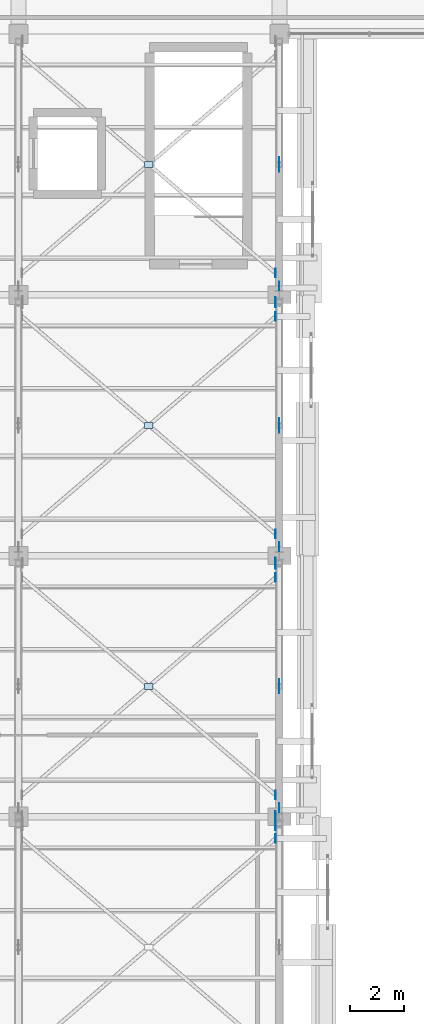
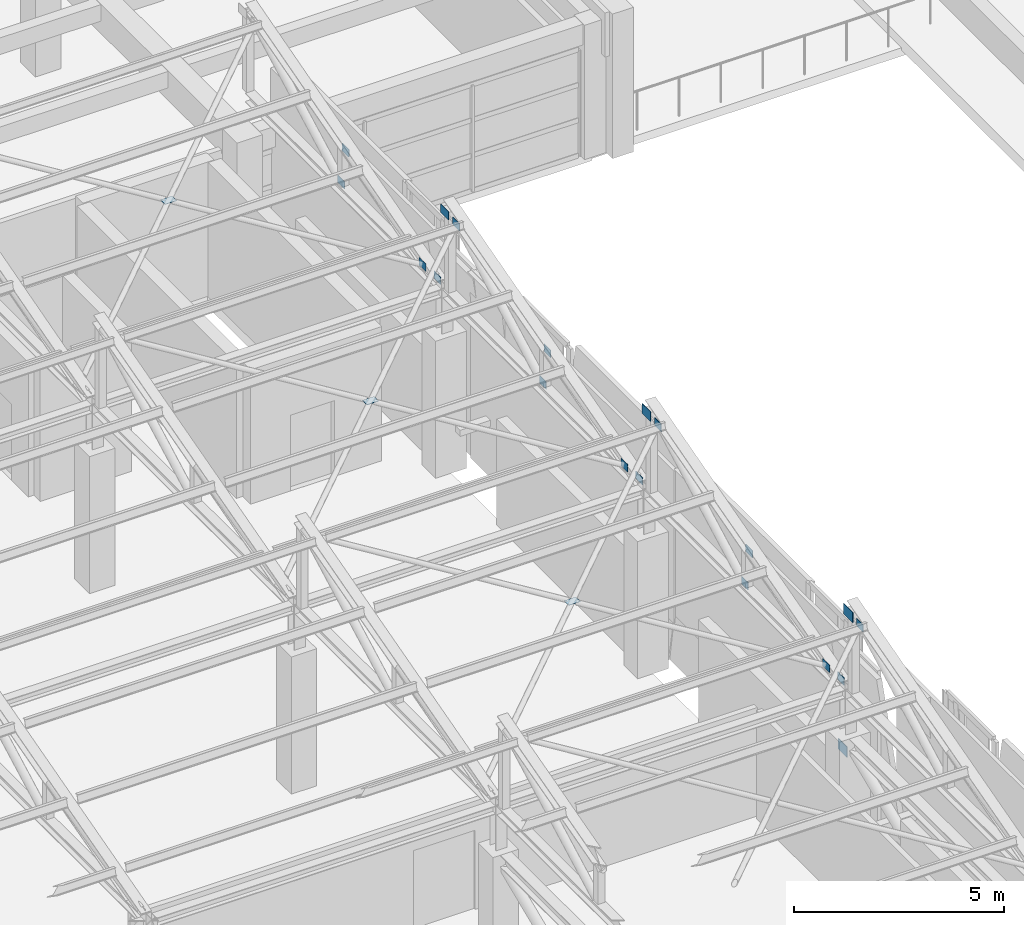
# One storey, part 53 of 71: 22 plates.
"""IFC4 building model written with IfcOpenShell, lengths in metres."""

from ifc_helpers import new_model, si_unit, direction, frame, origin, origin_2d, place, context, subcontext, project, spatial, rectangle, extrude, material, layer, layer_set, type_object, element, save


model = new_model("IFC4")

# Units and contexts
model_context = context("Model", 3, precision=1e-05, world=origin(), true_north=direction((0.0, 1.0)))
body_context = subcontext(model_context, "Body", "Model", "MODEL_VIEW")
ifc_project = project(units=[si_unit("LENGTHUNIT", "METRE"), si_unit("AREAUNIT", "SQUARE_METRE"), si_unit("VOLUMEUNIT", "CUBIC_METRE"), si_unit("PLANEANGLEUNIT", "RADIAN"), si_unit("MASSUNIT", "GRAM", prefix="KILO")], contexts=[model_context])

# Site, building, storey
site_placement = place(None, origin())
site = spatial("IfcSite", under=ifc_project, at=site_placement, CompositionType="ELEMENT")
building_placement = place(site_placement, origin())
building = spatial("IfcBuilding", under=site, at=building_placement, Name="Bempovik Park Faculty of Sciences", CompositionType="ELEMENT")
storey_placement = place(building_placement, frame((0.0, 0.0, 14.10009765625)))
storey = spatial("IfcBuildingStorey", under=building, at=storey_placement, Name="L03", CompositionType="ELEMENT", Elevation=14.10009765625)

# Plates
ifc_material = material(Name="Steel S355", Category="steel")
ifc_layer_1 = layer(ifc_material, 0.01611328125)
ifc_layer_set_1 = layer_set([ifc_layer_1], Name="Steel S355")
plate_type_1 = type_object("IfcPlateType", Name="PL-18 Steel Plate 400x280x16", PredefinedType="SHEET", material=ifc_layer_set_1)
plate_1_placement = place(storey_placement, frame((117.4541015625, 48.330078125, 7.46435546875), z_axis=(0.0, 0.0, 1.0), x_axis=(1.0, 0.0, 0.0)))
element("IfcPlate", 1, at=plate_1_placement, inside=storey, type_object=plate_type_1, Name="Sawtooth Ridge Gusset Plate V1-B3-117.6", PredefinedType="SHEET", context=body_context, shape_type="SweptSolid", body=[
    extrude(rectangle(XDim=0.01611328125, YDim=0.39990234375, at=origin_2d()), origin(), (0.0, 0.0, 1.0), 0.280029296875),
])
ifc_layer_2 = layer(ifc_material, 0.01806640625)
ifc_layer_set_2 = layer_set([ifc_layer_2], Name="Steel S355")
plate_type_2 = type_object("IfcPlateType", Name="PL-22 Steel Plate 420x300x18", PredefinedType="SHEET", material=ifc_layer_set_2)
plate_2_placement = place(storey_placement, frame((117.4599609375, 39.0, 3.3701171875), z_axis=(0.0, 0.0, 1.0), x_axis=(1.0, 0.0, 0.0)))
element("IfcPlate", 2, at=plate_2_placement, inside=storey, type_object=plate_type_2, Name="Cantilever Gusset Plate CT7-5-T", PredefinedType="SHEET", context=body_context, shape_type="SweptSolid", body=[
    extrude(rectangle(XDim=0.01806640625, YDim=0.419921875, at=origin_2d()), origin(), (0.0, 0.0, 1.0), 0.300048828125),
])
ifc_layer_3 = layer(ifc_material, 0.011962890625)
ifc_layer_set_3 = layer_set([ifc_layer_3], Name="Steel S355")
plate_type_3 = type_object("IfcPlateType", Name="PL-26 Steel Plate 320x220x12", PredefinedType="SHEET", material=ifc_layer_set_3)
plate_3_placement = place(storey_placement, frame((117.464111328125, 38.199951171875, 7.46044921875), z_axis=(0.0, 0.0, 1.0), x_axis=(1.0, 0.0, 0.0)))
element("IfcPlate", 3, at=plate_3_placement, inside=storey, type_object=plate_type_3, Name="Sawtooth X-Brace End Gusset V1-B2-108.0-2", PredefinedType="SHEET", context=body_context, shape_type="SweptSolid", body=[
    extrude(rectangle(XDim=0.011962890625, YDim=0.320068359375, at=origin_2d()), origin(), (0.0, 0.0, 1.0), 0.219970703125),
])
plate_4_placement = place(storey_placement, frame((112.800048828125, 43.800048828125, 6.4921875), z_axis=(0.0, 0.0, 1.0), x_axis=(1.0, 0.0, 0.0)))
element("IfcPlate", 4, at=plate_4_placement, inside=storey, type_object=plate_type_3, Name="Sawtooth X-Brace Crossing Node Gusset V1-B3-108.0", PredefinedType="SHEET", context=body_context, shape_type="SweptSolid", body=[
    extrude(rectangle(XDim=0.320068359375, YDim=0.219970703125, at=origin_2d()), origin(), (0.0, 0.0, 1.0), 0.011962890625),
])
for number, where, z_axis, x_axis, name in (
    (5, (117.464111328125, 47.800048828125, 7.46044921875), (0.0, 0.0, 1.0), (1.0, 0.0, 0.0), "Sawtooth X-Brace End Gusset V1-B3-108.0-2"),
    (6, (117.464111328125, 39.800048828125, 5.31640625), (0.0, 0.0, 1.0), (1.0, 0.0, 0.0), "Sawtooth X-Brace End Gusset V1-B3-108.0-4"),
):
    element("IfcPlate", number, at=place(storey_placement, frame(where, z_axis=z_axis, x_axis=x_axis)), inside=storey, type_object=plate_type_3, Name=name, PredefinedType="SHEET", context=body_context, shape_type="SweptSolid", body=[
        extrude(rectangle(XDim=0.011962890625, YDim=0.320068359375, at=origin_2d()), origin(), (0.0, 0.0, 1.0), 0.219970703125),
    ])
plate_5_placement = place(storey_placement, frame((112.800048828125, 53.39990234375, 6.4921875), z_axis=(0.0, 0.0, 1.0), x_axis=(1.0, 0.0, 0.0)))
element("IfcPlate", 7, at=plate_5_placement, inside=storey, type_object=plate_type_3, Name="Sawtooth X-Brace Crossing Node Gusset V1-B4-108.0", PredefinedType="SHEET", context=body_context, shape_type="SweptSolid", body=[
    extrude(rectangle(XDim=0.320068359375, YDim=0.219970703125, at=origin_2d()), origin(), (0.0, 0.0, 1.0), 0.011962890625),
])
for number, where, z_axis, x_axis, name in (
    (8, (117.464111328125, 57.39990234375, 7.46044921875), (0.0, 0.0, 1.0), (1.0, 0.0, 0.0), "Sawtooth X-Brace End Gusset V1-B4-108.0-2"),
    (9, (117.464111328125, 49.39990234375, 5.31640625), (0.0, 0.0, 1.0), (1.0, 0.0, 0.0), "Sawtooth X-Brace End Gusset V1-B4-108.0-4"),
):
    element("IfcPlate", number, at=place(storey_placement, frame(where, z_axis=z_axis, x_axis=x_axis)), inside=storey, type_object=plate_type_3, Name=name, PredefinedType="SHEET", context=body_context, shape_type="SweptSolid", body=[
        extrude(rectangle(XDim=0.011962890625, YDim=0.320068359375, at=origin_2d()), origin(), (0.0, 0.0, 1.0), 0.219970703125),
    ])
plate_6_placement = place(storey_placement, frame((112.800048828125, 63.0, 6.4921875), z_axis=(0.0, 0.0, 1.0), x_axis=(1.0, 0.0, 0.0)))
element("IfcPlate", 10, at=plate_6_placement, inside=storey, type_object=plate_type_3, Name="Sawtooth X-Brace Crossing Node Gusset V1-B5-108.0", PredefinedType="SHEET", context=body_context, shape_type="SweptSolid", body=[
    extrude(rectangle(XDim=0.320068359375, YDim=0.219970703125, at=origin_2d()), origin(), (0.0, 0.0, 1.0), 0.011962890625),
])
for number, where, z_axis, x_axis, name in (
    (11, (117.464111328125, 59.0, 5.31640625), (0.0, 0.0, 1.0), (1.0, 0.0, 0.0), "Sawtooth X-Brace End Gusset V1-B5-108.0-4"),
    (12, (117.60009765625, 39.330078125, 5.17578125), (0.0, 0.0, 1.0), (1.0, 0.0, 0.0), "Brace/Strut End Gusset Plate SAW-V1-B3-D1-1176-E1"),
    (13, (117.60009765625, 43.695068359375, 6.228515625), (0.0, 0.0, 1.0), (1.0, 0.0, 0.0), "Brace/Strut End Gusset Plate SAW-V1-B3-D1-1176-E2"),
    (14, (117.60009765625, 43.905029296875, 5.17578125), (0.0, 0.0, 1.0), (1.0, 0.0, 0.0), "Brace/Strut End Gusset Plate SAW-V1-B3-D2-1176-E1"),
    (15, (117.60009765625, 48.929931640625, 5.17578125), (0.0, 0.0, 1.0), (1.0, 0.0, 0.0), "Brace/Strut End Gusset Plate SAW-V1-B4-D1-1176-E1"),
    (16, (117.60009765625, 53.294921875, 6.228515625), (0.0, 0.0, 1.0), (1.0, 0.0, 0.0), "Brace/Strut End Gusset Plate SAW-V1-B4-D1-1176-E2"),
    (17, (117.60009765625, 53.5048828125, 5.17578125), (0.0, 0.0, 1.0), (1.0, 0.0, 0.0), "Brace/Strut End Gusset Plate SAW-V1-B4-D2-1176-E1"),
    (18, (117.60009765625, 58.530029296875, 5.17578125), (0.0, 0.0, 1.0), (1.0, 0.0, 0.0), "Brace/Strut End Gusset Plate SAW-V1-B5-D1-1176-E1"),
    (19, (117.60009765625, 62.89501953125, 6.228515625), (0.0, 0.0, 1.0), (1.0, 0.0, 0.0), "Brace/Strut End Gusset Plate SAW-V1-B5-D1-1176-E2"),
    (20, (117.60009765625, 63.10498046875, 5.17578125), (0.0, 0.0, 1.0), (1.0, 0.0, 0.0), "Brace/Strut End Gusset Plate SAW-V1-B5-D2-1176-E1"),
):
    element("IfcPlate", number, at=place(storey_placement, frame(where, z_axis=z_axis, x_axis=x_axis)), inside=storey, type_object=plate_type_3, Name=name, PredefinedType="SHEET", context=body_context, shape_type="SweptSolid", body=[
        extrude(rectangle(XDim=0.011962890625, YDim=0.320068359375, at=origin_2d()), origin(), (0.0, 0.0, 1.0), 0.219970703125),
    ])
ifc_layer_4 = layer(ifc_material, 0.01611328125)
ifc_layer_set_4 = layer_set([ifc_layer_4], Name="Steel S355")
plate_type_4 = type_object("IfcPlateType", Name="PL-33 Steel Plate 440x300x16", PredefinedType="SHEET", material=ifc_layer_set_4)
plate_7_placement = place(storey_placement, frame((117.4541015625, 38.72998046875, 7.45458984375), z_axis=(0.0, 0.0, 1.0), x_axis=(1.0, 0.0, 0.0)))
element("IfcPlate", 21, at=plate_7_placement, inside=storey, type_object=plate_type_4, Name="Sawtooth Ridge Gusset Plate V1-B2-117.6", PredefinedType="SHEET", context=body_context, shape_type="SweptSolid", body=[
    extrude(rectangle(XDim=0.01611328125, YDim=0.43994140625, at=origin_2d()), origin(), (0.0, 0.0, 1.0), 0.300048828125),
])
ifc_layer_5 = layer(ifc_material, 0.013916015625)
ifc_layer_set_5 = layer_set([ifc_layer_5], Name="Steel S355")
plate_type_5 = type_object("IfcPlateType", Name="PL-39 Steel Plate 360x250x14", PredefinedType="SHEET", material=ifc_layer_set_5)
plate_8_placement = place(storey_placement, frame((117.455078125, 57.929931640625, 7.4794921875), z_axis=(0.0, 0.0, 1.0), x_axis=(1.0, 0.0, 0.0)))
element("IfcPlate", 22, at=plate_8_placement, inside=storey, type_object=plate_type_5, Name="Sawtooth Ridge Gusset Plate V1-B4-117.6", PredefinedType="SHEET", context=body_context, shape_type="SweptSolid", body=[
    extrude(rectangle(XDim=0.013916015625, YDim=0.360107421875, at=origin_2d()), origin(), (0.0, 0.0, 1.0), 0.25),
])

save(model, "model.ifc")
